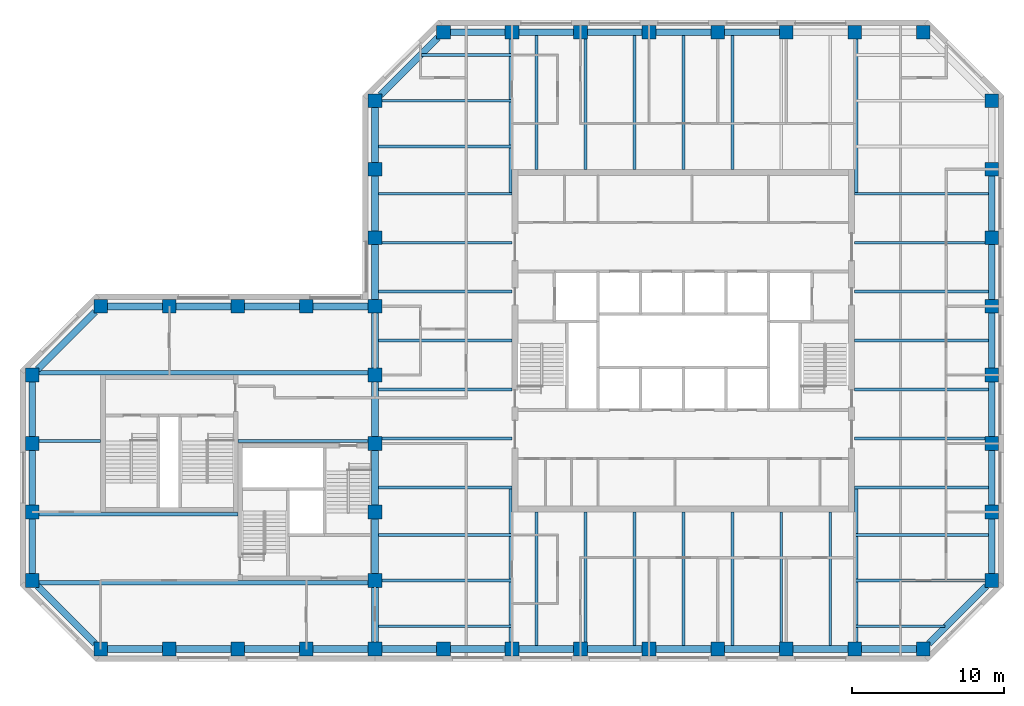
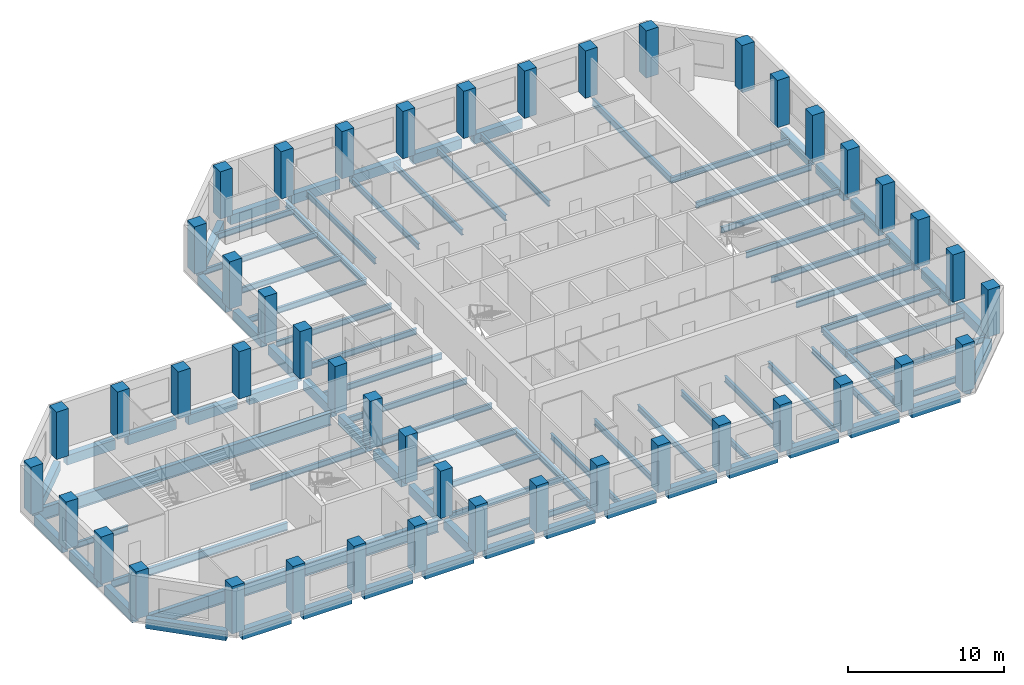
# One storey, part 1 of 9: 86 beams, 45 columns.
"""IFC4 building model written with IfcOpenShell, lengths in metres."""

from ifc_helpers import new_model, si_unit, direction, frame, origin, origin_2d, place, context, subcontext, project, spatial, rectangle, i_section, extrude, material, material_profile, profile_set, type_object, element, save


model = new_model("IFC4")

# Units and contexts
model_context = context("Model", 3, precision=1e-05, world=origin(), true_north=direction((0.0, 1.0)))
body_context = subcontext(model_context, "Body", "Model", "MODEL_VIEW")
ifc_project = project(units=[si_unit("LENGTHUNIT", "METRE"), si_unit("AREAUNIT", "SQUARE_METRE"), si_unit("VOLUMEUNIT", "CUBIC_METRE"), si_unit("PLANEANGLEUNIT", "RADIAN"), si_unit("MASSUNIT", "GRAM", prefix="KILO")], contexts=[model_context])

# Site, building, storey
site_placement = place(None, origin())
site = spatial("IfcSite", under=ifc_project, at=site_placement, CompositionType="ELEMENT")
building_placement = place(site_placement, origin())
building = spatial("IfcBuilding", under=site, at=building_placement, Name="Quoin Convention Tower", CompositionType="ELEMENT")
storey_placement = place(building_placement, frame((0.0, 0.0, 147.699951171875)))
storey = spatial("IfcBuildingStorey", under=building, at=storey_placement, Name="L38", CompositionType="ELEMENT", Elevation=147.699951171875)

# Columns
ifc_material_1 = material(Name="Concrete C50", Category="concrete")
ifc_material_profile_1 = material_profile(ifc_material_1, rectangle(XDim=0.89990234375, YDim=0.89990234375, at=origin_2d()), Name="RC 900x900")
ifc_profile_set_1 = profile_set([ifc_material_profile_1], Name="Concrete C50")
column_type = type_object("IfcColumnType", Name="RC 900x900 C50", PredefinedType="COLUMN", material=ifc_profile_set_1)
for number, where, z_axis, x_axis, name in (
    (1, (18.0, 40.5, 0.0), (0.0, 0.0, 1.0), (1.0, 0.0, 0.0), "col-L38-18000_40500"),
    (2, (22.5, 40.5, 0.0), (0.0, 0.0, 1.0), (1.0, 0.0, 0.0), "col-L38-22500_40500"),
    (3, (27.0, 40.5, 0.0), (0.0, 0.0, 1.0), (1.0, 0.0, 0.0), "col-L38-27000_40500"),
    (4, (31.5, 40.5, 0.0), (0.0, 0.0, 1.0), (1.0, 0.0, 0.0), "col-L38-31500_40500"),
    (5, (36.0, 40.5, 0.0), (0.0, 0.0, 1.0), (1.0, 0.0, 0.0), "col-L38-36000_40500"),
    (6, (40.5, 40.5, 0.0), (0.0, 0.0, 1.0), (1.0, 0.0, 0.0), "col-L38-40500_40500"),
    (7, (45.0, 40.5, 0.0), (0.0, 0.0, 1.0), (1.0, 0.0, 0.0), "col-L38-45000_40500"),
    (8, (49.5, 40.5, 0.0), (0.0, 0.0, 1.0), (1.0, 0.0, 0.0), "col-L38-49500_40500"),
    (9, (54.0, 40.5, 0.0), (0.0, 0.0, 1.0), (1.0, 0.0, 0.0), "col-L38-54000_40500"),
    (10, (58.5, 40.5, 0.0), (0.0, 0.0, 1.0), (1.0, 0.0, 0.0), "col-L38-58500_40500"),
    (11, (63.0, 40.5, 0.0), (0.0, 0.0, 1.0), (1.0, 0.0, 0.0), "col-L38-63000_40500"),
    (12, (67.5, 40.5, 0.0), (0.0, 0.0, 1.0), (1.0, 0.0, 0.0), "col-L38-67500_40500"),
    (13, (72.0, 40.5, 0.0), (0.0, 0.0, 1.0), (1.0, 0.0, 0.0), "col-L38-72000_40500"),
    (14, (13.5, 45.0, 0.0), (0.0, 0.0, 1.0), (1.0, 0.0, 0.0), "col-L38-13500_45000"),
    (15, (36.0, 45.0, 0.0), (0.0, 0.0, 1.0), (1.0, 0.0, 0.0), "web-L38-36000_45000"),
    (16, (76.5, 45.0, 0.0), (0.0, 0.0, 1.0), (1.0, 0.0, 0.0), "col-L38-76500_45000"),
    (17, (13.5, 49.5, 0.0), (0.0, 0.0, 1.0), (1.0, 0.0, 0.0), "col-L38-13500_49500"),
    (18, (36.0, 49.5, 0.0), (0.0, 0.0, 1.0), (1.0, 0.0, 0.0), "web-L38-36000_49500"),
    (19, (76.5, 49.5, 0.0), (0.0, 0.0, 1.0), (1.0, 0.0, 0.0), "col-L38-76500_49500"),
    (20, (13.5, 54.0, 0.0), (0.0, 0.0, 1.0), (1.0, 0.0, 0.0), "col-L38-13500_54000"),
    (21, (36.0, 54.0, 0.0), (0.0, 0.0, 1.0), (1.0, 0.0, 0.0), "web-L38-36000_54000"),
    (22, (76.5, 54.0, 0.0), (0.0, 0.0, 1.0), (1.0, 0.0, 0.0), "col-L38-76500_54000"),
    (23, (13.5, 58.5, 0.0), (0.0, 0.0, 1.0), (1.0, 0.0, 0.0), "col-L38-13500_58500"),
    (24, (36.0, 58.5, 0.0), (0.0, 0.0, 1.0), (1.0, 0.0, 0.0), "web-L38-36000_58500"),
    (25, (76.5, 58.5, 0.0), (0.0, 0.0, 1.0), (1.0, 0.0, 0.0), "col-L38-76500_58500"),
    (26, (18.0, 63.0, 0.0), (0.0, 0.0, 1.0), (1.0, 0.0, 0.0), "col-L38-18000_63000"),
    (27, (22.5, 63.0, 0.0), (0.0, 0.0, 1.0), (1.0, 0.0, 0.0), "col-L38-22500_63000"),
    (28, (27.0, 63.0, 0.0), (0.0, 0.0, 1.0), (1.0, 0.0, 0.0), "col-L38-27000_63000"),
    (29, (31.5, 63.0, 0.0), (0.0, 0.0, 1.0), (1.0, 0.0, 0.0), "col-L38-31500_63000"),
    (30, (36.0, 63.0, 0.0), (0.0, 0.0, 1.0), (1.0, 0.0, 0.0), "col-L38-36000_63000"),
    (31, (76.5, 63.0, 0.0), (0.0, 0.0, 1.0), (1.0, 0.0, 0.0), "col-L38-76500_63000"),
    (32, (36.0, 67.5, 0.0), (0.0, 0.0, 1.0), (1.0, 0.0, 0.0), "col-L38-36000_67500"),
    (33, (76.5, 67.5, 0.0), (0.0, 0.0, 1.0), (1.0, 0.0, 0.0), "col-L38-76500_67500"),
    (34, (36.0, 72.0, 0.0), (0.0, 0.0, 1.0), (1.0, 0.0, 0.0), "col-L38-36000_72000"),
    (35, (76.5, 72.0, 0.0), (0.0, 0.0, 1.0), (1.0, 0.0, 0.0), "col-L38-76500_72000"),
    (36, (36.0, 76.5, 0.0), (0.0, 0.0, 1.0), (1.0, 0.0, 0.0), "col-L38-36000_76500"),
    (37, (76.5, 76.5, 0.0), (0.0, 0.0, 1.0), (1.0, 0.0, 0.0), "col-L38-76500_76500"),
    (38, (40.5, 81.0, 0.0), (0.0, 0.0, 1.0), (1.0, 0.0, 0.0), "col-L38-40500_81000"),
    (39, (45.0, 81.0, 0.0), (0.0, 0.0, 1.0), (1.0, 0.0, 0.0), "col-L38-45000_81000"),
    (40, (49.5, 81.0, 0.0), (0.0, 0.0, 1.0), (1.0, 0.0, 0.0), "col-L38-49500_81000"),
    (41, (54.0, 81.0, 0.0), (0.0, 0.0, 1.0), (1.0, 0.0, 0.0), "col-L38-54000_81000"),
    (42, (58.5, 81.0, 0.0), (0.0, 0.0, 1.0), (1.0, 0.0, 0.0), "col-L38-58500_81000"),
    (43, (63.0, 81.0, 0.0), (0.0, 0.0, 1.0), (1.0, 0.0, 0.0), "col-L38-63000_81000"),
    (44, (67.5, 81.0, 0.0), (0.0, 0.0, 1.0), (1.0, 0.0, 0.0), "col-L38-67500_81000"),
    (45, (72.0, 81.0, 0.0), (0.0, 0.0, 1.0), (1.0, 0.0, 0.0), "col-L38-72000_81000"),
):
    element("IfcColumn", number, at=place(storey_placement, frame(where, z_axis=z_axis, x_axis=x_axis)), inside=storey, type_object=column_type, Name=name, PredefinedType="COLUMN", context=body_context, shape_type="SweptSolid", body=[
        extrude(rectangle(XDim=0.89990234375, YDim=0.89990234375, at=origin_2d()), origin(), (0.0, 0.0, 1.0), 3.699951171875),
    ])

# Beams
ifc_material_2 = material(Name="Steel Grade 300", Category="steel")
ifc_material_profile_2 = material_profile(ifc_material_2, i_section(OverallWidth=0.300048828125, OverallDepth=1.0, WebThickness=0.01611328125, FlangeThickness=0.02001953125, at=origin_2d()), Name="1000WB215")
ifc_profile_set_2 = profile_set([ifc_material_profile_2], Name="Steel Grade 300")
beam_type_1 = type_object("IfcBeamType", Name="1000WB215", PredefinedType="BEAM", material=ifc_profile_set_2)
for number, where, z_axis, x_axis, name in (
    (46, (13.949951171875, 44.85009765625, -0.64990234375), (1.0, 0.0, 0.0), (0.0, 1.0, 0.0), "gir-L38-ST2-1-0"),
    (47, (13.949951171875, 58.64990234375, -0.64990234375), (1.0, 0.0, 0.0), (0.0, 1.0, 0.0), "gir-L38-ST2-4-0"),
):
    element("IfcBeam", number, at=place(storey_placement, frame(where, z_axis=z_axis, x_axis=x_axis)), inside=storey, type_object=beam_type_1, Name=name, PredefinedType="BEAM", context=body_context, shape_type="SweptSolid", body=[
        extrude(i_section(OverallWidth=0.300048828125, OverallDepth=1.0, WebThickness=0.01611328125, FlangeThickness=0.02001953125, at=origin_2d()), origin(), (0.0, 0.0, 1.0), 21.60009765625),
    ])
ifc_material_profile_3 = material_profile(ifc_material_2, i_section(OverallWidth=0.18994140625, OverallDepth=0.4541015625, WebThickness=0.008544921875, FlangeThickness=0.0126953125, FilletRadius=0.011474609375, at=origin_2d()), Name="460UB67.1")
ifc_profile_set_3 = profile_set([ifc_material_profile_3], Name="Steel Grade 300")
beam_type_2 = type_object("IfcBeamType", Name="460UB67.1", PredefinedType="BEAM", material=ifc_profile_set_3)
beam_1_placement = place(storey_placement, frame((36.22509765625, 51.107177734375, -0.376953125), z_axis=(1.0, 0.0, 0.0), x_axis=(0.0, 1.0, 0.0)))
element("IfcBeam", 48, at=beam_1_placement, inside=storey, type_object=beam_type_2, Name="bm-L38-T1W0", PredefinedType="BEAM", context=body_context, shape_type="SweptSolid", body=[
    extrude(i_section(OverallWidth=0.18994140625, OverallDepth=0.4541015625, WebThickness=0.008544921875, FlangeThickness=0.0126953125, FilletRadius=0.011474609375, at=origin_2d()), origin(), (0.0, 0.0, 1.0), 8.77490234375),
])
beam_2_placement = place(storey_placement, frame((36.449951171875, 54.3212890625, -0.376953125), z_axis=(1.0, 0.0, 0.0), x_axis=(0.0, 1.0, 0.0)))
element("IfcBeam", 49, at=beam_2_placement, inside=storey, type_object=beam_type_2, Name="bm-L38-T1W1", PredefinedType="BEAM", context=body_context, shape_type="SweptSolid", body=[
    extrude(i_section(OverallWidth=0.18994140625, OverallDepth=0.4541015625, WebThickness=0.008544921875, FlangeThickness=0.0126953125, FilletRadius=0.011474609375, at=origin_2d()), origin(), (0.0, 0.0, 1.0), 8.550048828125),
])
for number, where, z_axis, x_axis, name in (
    (50, (36.22509765625, 57.53564453125, -0.376953125), (1.0, 0.0, 0.0), (0.0, 1.0, 0.0), "bm-L38-T1W2"),
    (51, (36.22509765625, 60.75, -0.376953125), (1.0, 0.0, 0.0), (0.0, 1.0, 0.0), "bm-L38-T1W3"),
    (52, (36.22509765625, 63.96435546875, -0.376953125), (1.0, 0.0, 0.0), (0.0, 1.0, 0.0), "bm-L38-T1W4"),
):
    element("IfcBeam", number, at=place(storey_placement, frame(where, z_axis=z_axis, x_axis=x_axis)), inside=storey, type_object=beam_type_2, Name=name, PredefinedType="BEAM", context=body_context, shape_type="SweptSolid", body=[
        extrude(i_section(OverallWidth=0.18994140625, OverallDepth=0.4541015625, WebThickness=0.008544921875, FlangeThickness=0.0126953125, FilletRadius=0.011474609375, at=origin_2d()), origin(), (0.0, 0.0, 1.0), 8.77490234375),
    ])
beam_3_placement = place(storey_placement, frame((36.449951171875, 67.1787109375, -0.376953125), z_axis=(1.0, 0.0, 0.0), x_axis=(0.0, 1.0, 0.0)))
element("IfcBeam", 53, at=beam_3_placement, inside=storey, type_object=beam_type_2, Name="bm-L38-T1W5", PredefinedType="BEAM", context=body_context, shape_type="SweptSolid", body=[
    extrude(i_section(OverallWidth=0.18994140625, OverallDepth=0.4541015625, WebThickness=0.008544921875, FlangeThickness=0.0126953125, FilletRadius=0.011474609375, at=origin_2d()), origin(), (0.0, 0.0, 1.0), 8.550048828125),
])
for number, where, z_axis, x_axis, name in (
    (54, (36.22509765625, 70.392822265625, -0.376953125), (1.0, 0.0, 0.0), (0.0, 1.0, 0.0), "bm-L38-T1W6"),
    (55, (67.5, 51.107177734375, -0.376953125), (1.0, 0.0, 0.0), (0.0, 1.0, 0.0), "bm-L38-T1E0"),
):
    element("IfcBeam", number, at=place(storey_placement, frame(where, z_axis=z_axis, x_axis=x_axis)), inside=storey, type_object=beam_type_2, Name=name, PredefinedType="BEAM", context=body_context, shape_type="SweptSolid", body=[
        extrude(i_section(OverallWidth=0.18994140625, OverallDepth=0.4541015625, WebThickness=0.008544921875, FlangeThickness=0.0126953125, FilletRadius=0.011474609375, at=origin_2d()), origin(), (0.0, 0.0, 1.0), 8.77490234375),
    ])
beam_4_placement = place(storey_placement, frame((67.5, 54.3212890625, -0.376953125), z_axis=(1.0, 0.0, 0.0), x_axis=(0.0, 1.0, 0.0)))
element("IfcBeam", 56, at=beam_4_placement, inside=storey, type_object=beam_type_2, Name="bm-L38-T1E1", PredefinedType="BEAM", context=body_context, shape_type="SweptSolid", body=[
    extrude(i_section(OverallWidth=0.18994140625, OverallDepth=0.4541015625, WebThickness=0.008544921875, FlangeThickness=0.0126953125, FilletRadius=0.011474609375, at=origin_2d()), origin(), (0.0, 0.0, 1.0), 8.550048828125),
])
for number, where, z_axis, x_axis, name in (
    (57, (67.5, 57.53564453125, -0.376953125), (1.0, 0.0, 0.0), (0.0, 1.0, 0.0), "bm-L38-T1E2"),
    (58, (67.5, 60.75, -0.376953125), (1.0, 0.0, 0.0), (0.0, 1.0, 0.0), "bm-L38-T1E3"),
    (59, (67.5, 63.96435546875, -0.376953125), (1.0, 0.0, 0.0), (0.0, 1.0, 0.0), "bm-L38-T1E4"),
):
    element("IfcBeam", number, at=place(storey_placement, frame(where, z_axis=z_axis, x_axis=x_axis)), inside=storey, type_object=beam_type_2, Name=name, PredefinedType="BEAM", context=body_context, shape_type="SweptSolid", body=[
        extrude(i_section(OverallWidth=0.18994140625, OverallDepth=0.4541015625, WebThickness=0.008544921875, FlangeThickness=0.0126953125, FilletRadius=0.011474609375, at=origin_2d()), origin(), (0.0, 0.0, 1.0), 8.77490234375),
    ])
beam_5_placement = place(storey_placement, frame((67.5, 67.1787109375, -0.376953125), z_axis=(1.0, 0.0, 0.0), x_axis=(0.0, 1.0, 0.0)))
element("IfcBeam", 60, at=beam_5_placement, inside=storey, type_object=beam_type_2, Name="bm-L38-T1E5", PredefinedType="BEAM", context=body_context, shape_type="SweptSolid", body=[
    extrude(i_section(OverallWidth=0.18994140625, OverallDepth=0.4541015625, WebThickness=0.008544921875, FlangeThickness=0.0126953125, FilletRadius=0.011474609375, at=origin_2d()), origin(), (0.0, 0.0, 1.0), 8.550048828125),
])
for number, where, z_axis, x_axis, name in (
    (61, (67.5, 70.392822265625, -0.376953125), (1.0, 0.0, 0.0), (0.0, 1.0, 0.0), "bm-L38-T1E6"),
    (62, (46.607177734375, 40.72509765625, -0.376953125), (0.0, 1.0, 0.0), (-1.0, 0.0, 0.0), "bm-L38-T1S0"),
):
    element("IfcBeam", number, at=place(storey_placement, frame(where, z_axis=z_axis, x_axis=x_axis)), inside=storey, type_object=beam_type_2, Name=name, PredefinedType="BEAM", context=body_context, shape_type="SweptSolid", body=[
        extrude(i_section(OverallWidth=0.18994140625, OverallDepth=0.4541015625, WebThickness=0.008544921875, FlangeThickness=0.0126953125, FilletRadius=0.011474609375, at=origin_2d()), origin(), (0.0, 0.0, 1.0), 8.77490234375),
    ])
beam_6_placement = place(storey_placement, frame((49.8212890625, 40.949951171875, -0.376953125), z_axis=(0.0, 1.0, 0.0), x_axis=(-1.0, 0.0, 0.0)))
element("IfcBeam", 63, at=beam_6_placement, inside=storey, type_object=beam_type_2, Name="bm-L38-T1S1", PredefinedType="BEAM", context=body_context, shape_type="SweptSolid", body=[
    extrude(i_section(OverallWidth=0.18994140625, OverallDepth=0.4541015625, WebThickness=0.008544921875, FlangeThickness=0.0126953125, FilletRadius=0.011474609375, at=origin_2d()), origin(), (0.0, 0.0, 1.0), 8.550048828125),
])
for number, where, z_axis, x_axis, name in (
    (64, (53.03564453125, 40.72509765625, -0.376953125), (0.0, 1.0, 0.0), (-1.0, 0.0, 0.0), "bm-L38-T1S2"),
    (65, (56.25, 40.72509765625, -0.376953125), (0.0, 1.0, 0.0), (-1.0, 0.0, 0.0), "bm-L38-T1S3"),
    (66, (59.46435546875, 40.72509765625, -0.376953125), (0.0, 1.0, 0.0), (-1.0, 0.0, 0.0), "bm-L38-T1S4"),
):
    element("IfcBeam", number, at=place(storey_placement, frame(where, z_axis=z_axis, x_axis=x_axis)), inside=storey, type_object=beam_type_2, Name=name, PredefinedType="BEAM", context=body_context, shape_type="SweptSolid", body=[
        extrude(i_section(OverallWidth=0.18994140625, OverallDepth=0.4541015625, WebThickness=0.008544921875, FlangeThickness=0.0126953125, FilletRadius=0.011474609375, at=origin_2d()), origin(), (0.0, 0.0, 1.0), 8.77490234375),
    ])
beam_7_placement = place(storey_placement, frame((62.6787109375, 40.949951171875, -0.376953125), z_axis=(0.0, 1.0, 0.0), x_axis=(-1.0, 0.0, 0.0)))
element("IfcBeam", 67, at=beam_7_placement, inside=storey, type_object=beam_type_2, Name="bm-L38-T1S5", PredefinedType="BEAM", context=body_context, shape_type="SweptSolid", body=[
    extrude(i_section(OverallWidth=0.18994140625, OverallDepth=0.4541015625, WebThickness=0.008544921875, FlangeThickness=0.0126953125, FilletRadius=0.011474609375, at=origin_2d()), origin(), (0.0, 0.0, 1.0), 8.550048828125),
])
for number, where, z_axis, x_axis, name in (
    (68, (65.892822265625, 40.72509765625, -0.376953125), (0.0, 1.0, 0.0), (-1.0, 0.0, 0.0), "bm-L38-T1S6"),
    (69, (46.607177734375, 72.0, -0.376953125), (0.0, 1.0, 0.0), (-1.0, 0.0, 0.0), "bm-L38-T1N0"),
):
    element("IfcBeam", number, at=place(storey_placement, frame(where, z_axis=z_axis, x_axis=x_axis)), inside=storey, type_object=beam_type_2, Name=name, PredefinedType="BEAM", context=body_context, shape_type="SweptSolid", body=[
        extrude(i_section(OverallWidth=0.18994140625, OverallDepth=0.4541015625, WebThickness=0.008544921875, FlangeThickness=0.0126953125, FilletRadius=0.011474609375, at=origin_2d()), origin(), (0.0, 0.0, 1.0), 8.77490234375),
    ])
beam_8_placement = place(storey_placement, frame((49.8212890625, 72.0, -0.376953125), z_axis=(0.0, 1.0, 0.0), x_axis=(-1.0, 0.0, 0.0)))
element("IfcBeam", 70, at=beam_8_placement, inside=storey, type_object=beam_type_2, Name="bm-L38-T1N1", PredefinedType="BEAM", context=body_context, shape_type="SweptSolid", body=[
    extrude(i_section(OverallWidth=0.18994140625, OverallDepth=0.4541015625, WebThickness=0.008544921875, FlangeThickness=0.0126953125, FilletRadius=0.011474609375, at=origin_2d()), origin(), (0.0, 0.0, 1.0), 8.550048828125),
])
for number, where, z_axis, x_axis, name in (
    (71, (53.03564453125, 72.0, -0.376953125), (0.0, 1.0, 0.0), (-1.0, 0.0, 0.0), "bm-L38-T1N2"),
    (72, (56.25, 72.0, -0.376953125), (0.0, 1.0, 0.0), (-1.0, 0.0, 0.0), "bm-L38-T1N3"),
    (73, (59.46435546875, 72.0, -0.376953125), (0.0, 1.0, 0.0), (-1.0, 0.0, 0.0), "bm-L38-T1N4"),
    (74, (36.22509765625, 42.0, -0.376953125), (1.0, 0.0, 0.0), (0.0, 1.0, 0.0), "bm-L38-T1SW0"),
):
    element("IfcBeam", number, at=place(storey_placement, frame(where, z_axis=z_axis, x_axis=x_axis)), inside=storey, type_object=beam_type_2, Name=name, PredefinedType="BEAM", context=body_context, shape_type="SweptSolid", body=[
        extrude(i_section(OverallWidth=0.18994140625, OverallDepth=0.4541015625, WebThickness=0.008544921875, FlangeThickness=0.0126953125, FilletRadius=0.011474609375, at=origin_2d()), origin(), (0.0, 0.0, 1.0), 8.77490234375),
    ])
beam_9_placement = place(storey_placement, frame((36.449951171875, 45.0, -0.376953125), z_axis=(1.0, 0.0, 0.0), x_axis=(0.0, 1.0, 0.0)))
element("IfcBeam", 75, at=beam_9_placement, inside=storey, type_object=beam_type_2, Name="bm-L38-T1SW1", PredefinedType="BEAM", context=body_context, shape_type="SweptSolid", body=[
    extrude(i_section(OverallWidth=0.18994140625, OverallDepth=0.4541015625, WebThickness=0.008544921875, FlangeThickness=0.0126953125, FilletRadius=0.011474609375, at=origin_2d()), origin(), (0.0, 0.0, 1.0), 8.550048828125),
])
beam_10_placement = place(storey_placement, frame((36.22509765625, 48.0, -0.376953125), z_axis=(1.0, 0.0, 0.0), x_axis=(0.0, 1.0, 0.0)))
element("IfcBeam", 76, at=beam_10_placement, inside=storey, type_object=beam_type_2, Name="bm-L38-T1SW2", PredefinedType="BEAM", context=body_context, shape_type="SweptSolid", body=[
    extrude(i_section(OverallWidth=0.18994140625, OverallDepth=0.4541015625, WebThickness=0.008544921875, FlangeThickness=0.0126953125, FilletRadius=0.011474609375, at=origin_2d()), origin(), (0.0, 0.0, 1.0), 8.77490234375),
])
beam_11_placement = place(storey_placement, frame((67.5, 42.0, -0.376953125), z_axis=(1.0, 0.0, 0.0), x_axis=(0.0, 1.0, 0.0)))
element("IfcBeam", 77, at=beam_11_placement, inside=storey, type_object=beam_type_2, Name="bm-L38-T1SE0", PredefinedType="BEAM", context=body_context, shape_type="SweptSolid", body=[
    extrude(i_section(OverallWidth=0.18994140625, OverallDepth=0.4541015625, WebThickness=0.008544921875, FlangeThickness=0.0126953125, FilletRadius=0.011474609375, at=origin_2d()), origin(), (0.0, 0.0, 1.0), 5.935791015625),
])
beam_12_placement = place(storey_placement, frame((67.5, 45.0, -0.376953125), z_axis=(1.0, 0.0, 0.0), x_axis=(0.0, 1.0, 0.0)))
element("IfcBeam", 78, at=beam_12_placement, inside=storey, type_object=beam_type_2, Name="bm-L38-T1SE1", PredefinedType="BEAM", context=body_context, shape_type="SweptSolid", body=[
    extrude(i_section(OverallWidth=0.18994140625, OverallDepth=0.4541015625, WebThickness=0.008544921875, FlangeThickness=0.0126953125, FilletRadius=0.011474609375, at=origin_2d()), origin(), (0.0, 0.0, 1.0), 8.550048828125),
])
beam_13_placement = place(storey_placement, frame((67.5, 48.0, -0.376953125), z_axis=(1.0, 0.0, 0.0), x_axis=(0.0, 1.0, 0.0)))
element("IfcBeam", 79, at=beam_13_placement, inside=storey, type_object=beam_type_2, Name="bm-L38-T1SE2", PredefinedType="BEAM", context=body_context, shape_type="SweptSolid", body=[
    extrude(i_section(OverallWidth=0.18994140625, OverallDepth=0.4541015625, WebThickness=0.008544921875, FlangeThickness=0.0126953125, FilletRadius=0.011474609375, at=origin_2d()), origin(), (0.0, 0.0, 1.0), 8.77490234375),
])
beam_14_placement = place(storey_placement, frame((39.064208984375, 79.5, -0.376953125), z_axis=(1.0, 0.0, 0.0), x_axis=(0.0, 1.0, 0.0)))
element("IfcBeam", 80, at=beam_14_placement, inside=storey, type_object=beam_type_2, Name="bm-L38-T1NW0", PredefinedType="BEAM", context=body_context, shape_type="SweptSolid", body=[
    extrude(i_section(OverallWidth=0.18994140625, OverallDepth=0.4541015625, WebThickness=0.008544921875, FlangeThickness=0.0126953125, FilletRadius=0.011474609375, at=origin_2d()), origin(), (0.0, 0.0, 1.0), 5.935791015625),
])
beam_15_placement = place(storey_placement, frame((36.449951171875, 76.5, -0.376953125), z_axis=(1.0, 0.0, 0.0), x_axis=(0.0, 1.0, 0.0)))
element("IfcBeam", 81, at=beam_15_placement, inside=storey, type_object=beam_type_2, Name="bm-L38-T1NW1", PredefinedType="BEAM", context=body_context, shape_type="SweptSolid", body=[
    extrude(i_section(OverallWidth=0.18994140625, OverallDepth=0.4541015625, WebThickness=0.008544921875, FlangeThickness=0.0126953125, FilletRadius=0.011474609375, at=origin_2d()), origin(), (0.0, 0.0, 1.0), 8.550048828125),
])
beam_16_placement = place(storey_placement, frame((36.22509765625, 73.5, -0.376953125), z_axis=(1.0, 0.0, 0.0), x_axis=(0.0, 1.0, 0.0)))
element("IfcBeam", 82, at=beam_16_placement, inside=storey, type_object=beam_type_2, Name="bm-L38-T1NW2", PredefinedType="BEAM", context=body_context, shape_type="SweptSolid", body=[
    extrude(i_section(OverallWidth=0.18994140625, OverallDepth=0.4541015625, WebThickness=0.008544921875, FlangeThickness=0.0126953125, FilletRadius=0.011474609375, at=origin_2d()), origin(), (0.0, 0.0, 1.0), 8.77490234375),
])
beam_17_placement = place(storey_placement, frame((13.949951171875, 54.14990234375, -0.376953125), z_axis=(1.0, 0.0, 0.0), x_axis=(0.0, 1.0, 0.0)))
element("IfcBeam", 83, at=beam_17_placement, inside=storey, type_object=beam_type_2, Name="gir-L38-ST2-3-0", PredefinedType="BEAM", context=body_context, shape_type="SweptSolid", body=[
    extrude(i_section(OverallWidth=0.18994140625, OverallDepth=0.4541015625, WebThickness=0.008544921875, FlangeThickness=0.0126953125, FilletRadius=0.011474609375, at=origin_2d()), origin(), (0.0, 0.0, 1.0), 4.050048828125),
])
beam_18_placement = place(storey_placement, frame((27.0, 54.14990234375, -0.376953125), z_axis=(1.0, 0.0, 0.0), x_axis=(0.0, 1.0, 0.0)))
element("IfcBeam", 84, at=beam_18_placement, inside=storey, type_object=beam_type_2, Name="gir-L38-ST2-3-1", PredefinedType="BEAM", context=body_context, shape_type="SweptSolid", body=[
    extrude(i_section(OverallWidth=0.18994140625, OverallDepth=0.4541015625, WebThickness=0.008544921875, FlangeThickness=0.0126953125, FilletRadius=0.011474609375, at=origin_2d()), origin(), (0.0, 0.0, 1.0), 8.550048828125),
])
ifc_material_profile_4 = material_profile(ifc_material_2, i_section(OverallWidth=0.208984375, OverallDepth=0.528076171875, WebThickness=0.009521484375, FlangeThickness=0.01318359375, FilletRadius=0.013916015625, at=origin_2d()), Name="530UB82.0")
ifc_profile_set_4 = profile_set([ifc_material_profile_4], Name="Steel Grade 300")
beam_type_3 = type_object("IfcBeamType", Name="530UB82.0", PredefinedType="BEAM", material=ifc_profile_set_4)
for number, where, z_axis, x_axis, name in (
    (85, (44.904541015625, 40.949951171875, -0.4140625), (0.0, 1.0, 0.0), (-1.0, 0.0, 0.0), "gir-L38-T1SW"),
    (86, (67.595458984375, 40.949951171875, -0.4140625), (0.0, 1.0, 0.0), (-1.0, 0.0, 0.0), "gir-L38-T1SE"),
    (87, (44.904541015625, 80.550048828125, -0.4140625), (0.0, -1.0, 0.0), (1.0, 0.0, 0.0), "gir-L38-T1NW"),
    (88, (67.595458984375, 80.550048828125, -0.4140625), (0.0, -1.0, 0.0), (1.0, 0.0, 0.0), "gir-L38-T1NE"),
):
    element("IfcBeam", number, at=place(storey_placement, frame(where, z_axis=z_axis, x_axis=x_axis)), inside=storey, type_object=beam_type_3, Name=name, PredefinedType="BEAM", context=body_context, shape_type="SweptSolid", body=[
        extrude(i_section(OverallWidth=0.208984375, OverallDepth=0.528076171875, WebThickness=0.009521484375, FlangeThickness=0.01318359375, FilletRadius=0.013916015625, at=origin_2d()), origin(), (0.0, 0.0, 1.0), 10.062255859375),
    ])
ifc_material_profile_5 = material_profile(ifc_material_2, i_section(OverallWidth=0.22802734375, OverallDepth=0.60205078125, WebThickness=0.010498046875, FlangeThickness=0.014892578125, FilletRadius=0.013916015625, at=origin_2d()), Name="610UB101")
ifc_profile_set_5 = profile_set([ifc_material_profile_5], Name="Steel Grade 300")
beam_type_4 = type_object("IfcBeamType", Name="610UB101", PredefinedType="BEAM", material=ifc_profile_set_5)
beam_19_placement = place(storey_placement, frame((13.949951171875, 49.35009765625, -0.450927734375), z_axis=(1.0, 0.0, 0.0), x_axis=(0.0, 1.0, 0.0)))
element("IfcBeam", 89, at=beam_19_placement, inside=storey, type_object=beam_type_4, Name="gir-L38-ST2-2-0", PredefinedType="BEAM", context=body_context, shape_type="SweptSolid", body=[
    extrude(i_section(OverallWidth=0.22802734375, OverallDepth=0.60205078125, WebThickness=0.010498046875, FlangeThickness=0.014892578125, FilletRadius=0.013916015625, at=origin_2d()), origin(), (0.0, 0.0, 1.0), 13.050048828125),
])
ifc_material_profile_6 = material_profile(ifc_material_1, rectangle(XDim=0.449951171875, YDim=0.75, at=origin_2d()), Name="RC 450x750")
ifc_profile_set_6 = profile_set([ifc_material_profile_6], Name="Concrete C50")
beam_type_5 = type_object("IfcBeamType", Name="RC 450x750 C50", PredefinedType="SPANDREL", material=ifc_profile_set_6)
for number, where, z_axis, x_axis, name in (
    (90, (36.449951171875, 40.5, -0.52490234375), (1.0, 0.0, 0.0), (0.0, 1.0, 0.0), "spd-L38-36000_40500-40500_40500"),
    (91, (40.949951171875, 40.5, -0.52490234375), (1.0, 0.0, 0.0), (0.0, 1.0, 0.0), "spd-L38-40500_40500-45000_40500"),
    (92, (45.449951171875, 40.5, -0.52490234375), (1.0, 0.0, 0.0), (0.0, 1.0, 0.0), "spd-L38-45000_40500-49500_40500"),
    (93, (49.949951171875, 40.5, -0.52490234375), (1.0, 0.0, 0.0), (0.0, 1.0, 0.0), "spd-L38-49500_40500-54000_40500"),
    (94, (54.449951171875, 40.5, -0.52490234375), (1.0, 0.0, 0.0), (0.0, 1.0, 0.0), "spd-L38-54000_40500-58500_40500"),
    (95, (58.949951171875, 40.5, -0.52490234375), (1.0, 0.0, 0.0), (0.0, 1.0, 0.0), "spd-L38-58500_40500-63000_40500"),
    (96, (63.449951171875, 40.5, -0.52490234375), (1.0, 0.0, 0.0), (0.0, 1.0, 0.0), "spd-L38-63000_40500-67500_40500"),
    (97, (67.949951171875, 40.5, -0.52490234375), (1.0, 0.0, 0.0), (0.0, 1.0, 0.0), "spd-L38-67500_40500-72000_40500"),
):
    element("IfcBeam", number, at=place(storey_placement, frame(where, z_axis=z_axis, x_axis=x_axis)), inside=storey, type_object=beam_type_5, Name=name, PredefinedType="SPANDREL", context=body_context, shape_type="SweptSolid", body=[
        extrude(rectangle(XDim=0.449951171875, YDim=0.75, at=origin_2d()), origin(), (0.0, 0.0, 1.0), 3.60009765625),
    ])
beam_20_placement = place(storey_placement, frame((72.364990234375, 40.864990234375, -0.52490234375), z_axis=(0.707106781187, 0.707106781187, 0.0), x_axis=(-0.707106781187, 0.707106781187, 0.0)))
element("IfcBeam", 98, at=beam_20_placement, inside=storey, type_object=beam_type_5, Name="spd-L38-72000_40500-76500_45000", PredefinedType="SPANDREL", context=body_context, shape_type="SweptSolid", body=[
    extrude(rectangle(XDim=0.449951171875, YDim=0.75, at=origin_2d()), origin(), (0.0, 0.0, 1.0), 5.33154296875),
])
for number, where, z_axis, x_axis, name in (
    (99, (76.5, 45.449951171875, -0.52490234375), (0.0, 1.0, 0.0), (-1.0, 0.0, 0.0), "spd-L38-76500_45000-76500_49500"),
    (100, (76.5, 49.949951171875, -0.52490234375), (0.0, 1.0, 0.0), (-1.0, 0.0, 0.0), "spd-L38-76500_49500-76500_54000"),
    (101, (76.5, 54.449951171875, -0.52490234375), (0.0, 1.0, 0.0), (-1.0, 0.0, 0.0), "spd-L38-76500_54000-76500_58500"),
    (102, (76.5, 58.949951171875, -0.52490234375), (0.0, 1.0, 0.0), (-1.0, 0.0, 0.0), "spd-L38-76500_58500-76500_63000"),
    (103, (76.5, 63.449951171875, -0.52490234375), (0.0, 1.0, 0.0), (-1.0, 0.0, 0.0), "spd-L38-76500_63000-76500_67500"),
    (104, (76.5, 67.949951171875, -0.52490234375), (0.0, 1.0, 0.0), (-1.0, 0.0, 0.0), "spd-L38-76500_67500-76500_72000"),
    (105, (62.550048828125, 81.0, -0.52490234375), (-1.0, 0.0, 0.0), (0.0, -1.0, 0.0), "spd-L38-63000_81000-58500_81000"),
    (106, (58.050048828125, 81.0, -0.52490234375), (-1.0, 0.0, 0.0), (0.0, -1.0, 0.0), "spd-L38-58500_81000-54000_81000"),
    (107, (53.550048828125, 81.0, -0.52490234375), (-1.0, 0.0, 0.0), (0.0, -1.0, 0.0), "spd-L38-54000_81000-49500_81000"),
    (108, (49.050048828125, 81.0, -0.52490234375), (-1.0, 0.0, 0.0), (0.0, -1.0, 0.0), "spd-L38-49500_81000-45000_81000"),
    (109, (44.550048828125, 81.0, -0.52490234375), (-1.0, 0.0, 0.0), (0.0, -1.0, 0.0), "spd-L38-45000_81000-40500_81000"),
):
    element("IfcBeam", number, at=place(storey_placement, frame(where, z_axis=z_axis, x_axis=x_axis)), inside=storey, type_object=beam_type_5, Name=name, PredefinedType="SPANDREL", context=body_context, shape_type="SweptSolid", body=[
        extrude(rectangle(XDim=0.449951171875, YDim=0.75, at=origin_2d()), origin(), (0.0, 0.0, 1.0), 3.60009765625),
    ])
beam_21_placement = place(storey_placement, frame((40.135009765625, 80.635009765625, -0.52490234375), z_axis=(-0.707106781187, -0.707106781187, 0.0), x_axis=(0.707106781187, -0.707106781187, 0.0)))
element("IfcBeam", 110, at=beam_21_placement, inside=storey, type_object=beam_type_5, Name="spd-L38-40500_81000-36000_76500", PredefinedType="SPANDREL", context=body_context, shape_type="SweptSolid", body=[
    extrude(rectangle(XDim=0.449951171875, YDim=0.75, at=origin_2d()), origin(), (0.0, 0.0, 1.0), 5.33154296875),
])
for number, where, z_axis, x_axis, name in (
    (111, (36.0, 76.050048828125, -0.52490234375), (0.0, -1.0, 0.0), (1.0, 0.0, 0.0), "spd-L38-36000_76500-36000_72000"),
    (112, (36.0, 71.550048828125, -0.52490234375), (0.0, -1.0, 0.0), (1.0, 0.0, 0.0), "spd-L38-36000_72000-36000_67500"),
    (113, (36.0, 67.050048828125, -0.52490234375), (0.0, -1.0, 0.0), (1.0, 0.0, 0.0), "spd-L38-36000_67500-36000_63000"),
    (114, (35.550048828125, 63.0, -0.52490234375), (-1.0, 0.0, 0.0), (0.0, -1.0, 0.0), "spd-L38-36000_63000-31500_63000"),
    (115, (31.050048828125, 63.0, -0.52490234375), (-1.0, 0.0, 0.0), (0.0, -1.0, 0.0), "spd-L38-31500_63000-27000_63000"),
    (116, (26.550048828125, 63.0, -0.52490234375), (-1.0, 0.0, 0.0), (0.0, -1.0, 0.0), "spd-L38-27000_63000-22500_63000"),
    (117, (22.050048828125, 63.0, -0.52490234375), (-1.0, 0.0, 0.0), (0.0, -1.0, 0.0), "spd-L38-22500_63000-18000_63000"),
):
    element("IfcBeam", number, at=place(storey_placement, frame(where, z_axis=z_axis, x_axis=x_axis)), inside=storey, type_object=beam_type_5, Name=name, PredefinedType="SPANDREL", context=body_context, shape_type="SweptSolid", body=[
        extrude(rectangle(XDim=0.449951171875, YDim=0.75, at=origin_2d()), origin(), (0.0, 0.0, 1.0), 3.60009765625),
    ])
beam_22_placement = place(storey_placement, frame((17.635009765625, 62.635009765625, -0.52490234375), z_axis=(-0.707106781187, -0.707106781187, 0.0), x_axis=(0.707106781187, -0.707106781187, 0.0)))
element("IfcBeam", 118, at=beam_22_placement, inside=storey, type_object=beam_type_5, Name="spd-L38-18000_63000-13500_58500", PredefinedType="SPANDREL", context=body_context, shape_type="SweptSolid", body=[
    extrude(rectangle(XDim=0.449951171875, YDim=0.75, at=origin_2d()), origin(), (0.0, 0.0, 1.0), 5.33154296875),
])
for number, where, z_axis, x_axis, name in (
    (119, (13.5, 58.050048828125, -0.52490234375), (0.0, -1.0, 0.0), (1.0, 0.0, 0.0), "spd-L38-13500_58500-13500_54000"),
    (120, (13.5, 53.550048828125, -0.52490234375), (0.0, -1.0, 0.0), (1.0, 0.0, 0.0), "spd-L38-13500_54000-13500_49500"),
    (121, (13.5, 49.050048828125, -0.52490234375), (0.0, -1.0, 0.0), (1.0, 0.0, 0.0), "spd-L38-13500_49500-13500_45000"),
):
    element("IfcBeam", number, at=place(storey_placement, frame(where, z_axis=z_axis, x_axis=x_axis)), inside=storey, type_object=beam_type_5, Name=name, PredefinedType="SPANDREL", context=body_context, shape_type="SweptSolid", body=[
        extrude(rectangle(XDim=0.449951171875, YDim=0.75, at=origin_2d()), origin(), (0.0, 0.0, 1.0), 3.60009765625),
    ])
beam_23_placement = place(storey_placement, frame((13.864990234375, 44.635009765625, -0.52490234375), z_axis=(0.707106781187, -0.707106781187, 0.0), x_axis=(0.707106781187, 0.707106781187, 0.0)))
element("IfcBeam", 122, at=beam_23_placement, inside=storey, type_object=beam_type_5, Name="spd-L38-13500_45000-18000_40500", PredefinedType="SPANDREL", context=body_context, shape_type="SweptSolid", body=[
    extrude(rectangle(XDim=0.449951171875, YDim=0.75, at=origin_2d()), origin(), (0.0, 0.0, 1.0), 5.33154296875),
])
for number, where, z_axis, x_axis, name in (
    (123, (18.449951171875, 40.5, -0.52490234375), (1.0, 0.0, 0.0), (0.0, 1.0, 0.0), "spd-L38-18000_40500-22500_40500"),
    (124, (22.949951171875, 40.5, -0.52490234375), (1.0, 0.0, 0.0), (0.0, 1.0, 0.0), "spd-L38-22500_40500-27000_40500"),
    (125, (27.449951171875, 40.5, -0.52490234375), (1.0, 0.0, 0.0), (0.0, 1.0, 0.0), "spd-L38-27000_40500-31500_40500"),
    (126, (31.949951171875, 40.5, -0.52490234375), (1.0, 0.0, 0.0), (0.0, 1.0, 0.0), "spd-L38-31500_40500-36000_40500"),
    (127, (36.0, 40.949951171875, -0.52490234375), (0.0, 1.0, 0.0), (-1.0, 0.0, 0.0), "spd-L38-36000_40500-36000_45000"),
    (128, (36.0, 45.449951171875, -0.52490234375), (0.0, 1.0, 0.0), (-1.0, 0.0, 0.0), "spd-L38-36000_45000-36000_49500"),
    (129, (36.0, 49.949951171875, -0.52490234375), (0.0, 1.0, 0.0), (-1.0, 0.0, 0.0), "spd-L38-36000_49500-36000_54000"),
    (130, (36.0, 54.449951171875, -0.52490234375), (0.0, 1.0, 0.0), (-1.0, 0.0, 0.0), "spd-L38-36000_54000-36000_58500"),
    (131, (36.0, 58.949951171875, -0.52490234375), (0.0, 1.0, 0.0), (-1.0, 0.0, 0.0), "spd-L38-36000_58500-36000_63000"),
):
    element("IfcBeam", number, at=place(storey_placement, frame(where, z_axis=z_axis, x_axis=x_axis)), inside=storey, type_object=beam_type_5, Name=name, PredefinedType="SPANDREL", context=body_context, shape_type="SweptSolid", body=[
        extrude(rectangle(XDim=0.449951171875, YDim=0.75, at=origin_2d()), origin(), (0.0, 0.0, 1.0), 3.60009765625),
    ])

save(model, "model.ifc")
